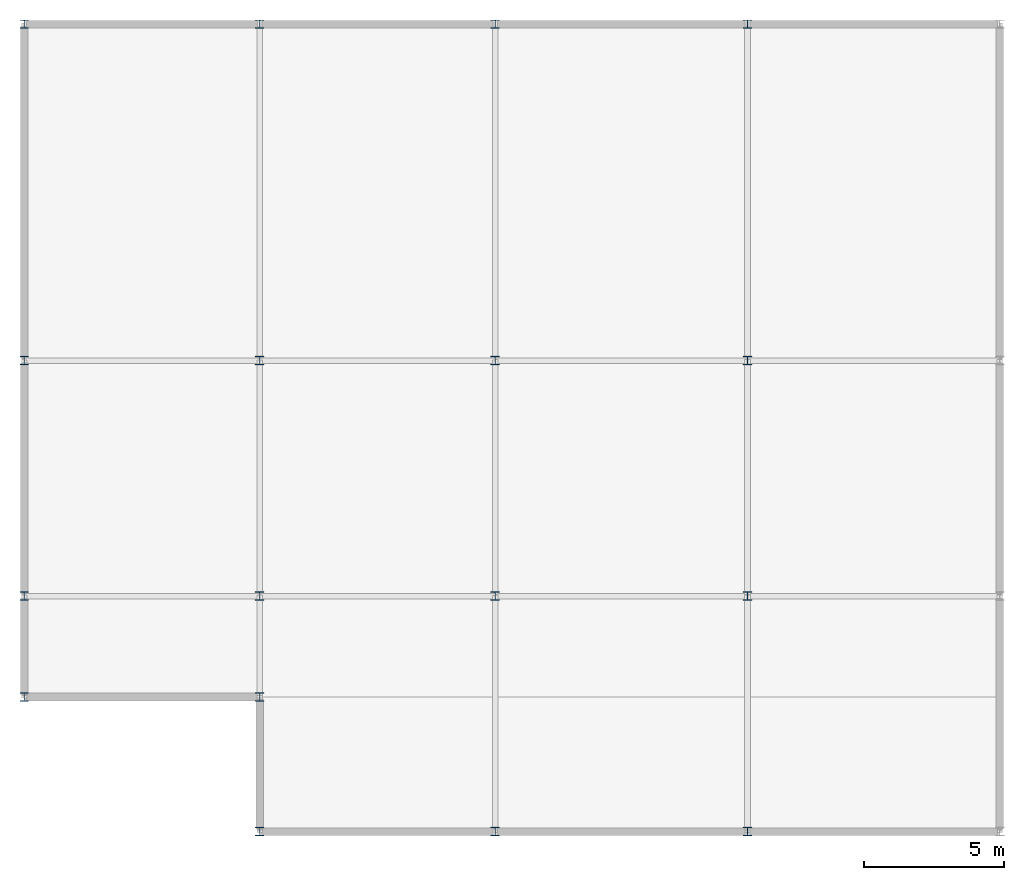
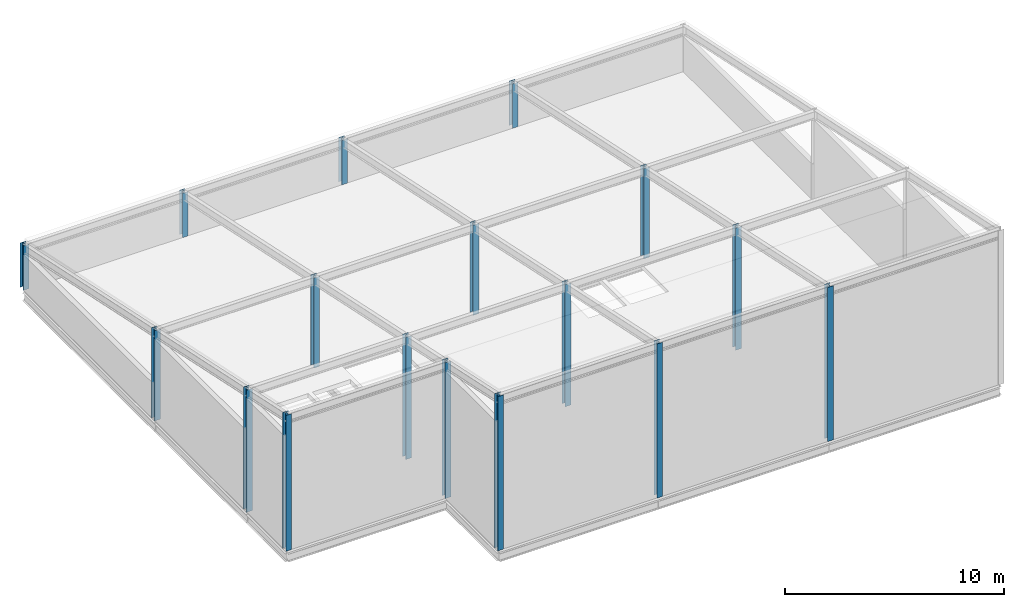
# One storey, part 1 of 5: 17 columns.
"""IFC4 building model written with IfcOpenShell, lengths in metres."""

from ifc_helpers import new_model, si_unit, direction, frame, origin, origin_2d, place, context, subcontext, project, spatial, i_section, extrude, material, material_profile, profile_set, type_object, element, save


model = new_model("IFC4")

# Units and contexts
model_context = context("Model", 3, precision=1e-05, world=origin(), true_north=direction((0.0, 1.0)))
body_context = subcontext(model_context, "Body", "Model", "MODEL_VIEW")
ifc_project = project(units=[si_unit("LENGTHUNIT", "METRE"), si_unit("AREAUNIT", "SQUARE_METRE"), si_unit("VOLUMEUNIT", "CUBIC_METRE"), si_unit("PLANEANGLEUNIT", "RADIAN"), si_unit("MASSUNIT", "GRAM", prefix="KILO")], contexts=[model_context])

# Site, building, storey
site_placement = place(None, origin())
site = spatial("IfcSite", under=ifc_project, at=site_placement, CompositionType="ELEMENT")
building_placement = place(site_placement, origin())
building = spatial("IfcBuilding", under=site, at=building_placement, Name="Yukiwa Park Conservatory and Herbarium", CompositionType="ELEMENT")
storey_placement = place(building_placement, frame((0.0, 0.0, 65.39990234375)))
storey = spatial("IfcBuildingStorey", under=building, at=storey_placement, Name="RF", CompositionType="ELEMENT", Elevation=65.39990234375)

# Columns
ifc_material_1 = material(Name="Steel Q355D", Category="steel")
ifc_material_profile_1 = material_profile(ifc_material_1, i_section(OverallWidth=0.300048828125, OverallDepth=0.300048828125, WebThickness=0.010009765625, FlangeThickness=0.014892578125, FilletRadius=0.01806640625, at=origin_2d()), Name="HW 300x300x10x15")
ifc_profile_set_1 = profile_set([ifc_material_profile_1], Name="Steel Q355D")
column_type_1 = type_object("IfcColumnType", Name="COL-TW-HW300", PredefinedType="COLUMN", material=ifc_profile_set_1)
column_1_placement = place(storey_placement, frame((141.60009765625, 94.800048828125, 0.0), z_axis=(0.0, 0.0, 1.0), x_axis=(1.0, 0.0, 0.0)))
element("IfcColumn", 1, at=column_1_placement, inside=storey, type_object=column_type_1, Name="Tower crown roof post 141-94", PredefinedType="COLUMN", context=body_context, shape_type="SweptSolid", body=[
    extrude(i_section(OverallWidth=0.300048828125, OverallDepth=0.300048828125, WebThickness=0.010009765625, FlangeThickness=0.014892578125, FilletRadius=0.01806640625, at=origin_2d()), origin(), (0.0, 0.0, 1.0), 6.811279296875),
])
column_2_placement = place(storey_placement, frame((141.60009765625, 103.199951171875, 0.0), z_axis=(0.0, 0.0, 1.0), x_axis=(1.0, 0.0, 0.0)))
element("IfcColumn", 2, at=column_2_placement, inside=storey, type_object=column_type_1, Name="Tower crown roof post 141-103", PredefinedType="COLUMN", context=body_context, shape_type="SweptSolid", body=[
    extrude(i_section(OverallWidth=0.300048828125, OverallDepth=0.300048828125, WebThickness=0.010009765625, FlangeThickness=0.014892578125, FilletRadius=0.01806640625, at=origin_2d()), origin(), (0.0, 0.0, 1.0), 5.02587890625),
])
column_3_placement = place(storey_placement, frame((150.0, 94.800048828125, 0.0), z_axis=(0.0, 0.0, 1.0), x_axis=(1.0, 0.0, 0.0)))
element("IfcColumn", 3, at=column_3_placement, inside=storey, type_object=column_type_1, Name="Tower crown roof post 150-94", PredefinedType="COLUMN", context=body_context, shape_type="SweptSolid", body=[
    extrude(i_section(OverallWidth=0.300048828125, OverallDepth=0.300048828125, WebThickness=0.010009765625, FlangeThickness=0.014892578125, FilletRadius=0.01806640625, at=origin_2d()), origin(), (0.0, 0.0, 1.0), 6.811279296875),
])
column_4_placement = place(storey_placement, frame((150.0, 103.199951171875, 0.0), z_axis=(0.0, 0.0, 1.0), x_axis=(1.0, 0.0, 0.0)))
element("IfcColumn", 4, at=column_4_placement, inside=storey, type_object=column_type_1, Name="Tower crown roof post 150-103", PredefinedType="COLUMN", context=body_context, shape_type="SweptSolid", body=[
    extrude(i_section(OverallWidth=0.300048828125, OverallDepth=0.300048828125, WebThickness=0.010009765625, FlangeThickness=0.014892578125, FilletRadius=0.01806640625, at=origin_2d()), origin(), (0.0, 0.0, 1.0), 5.02587890625),
])
column_5_placement = place(storey_placement, frame((159.0, 94.800048828125, 0.0), z_axis=(0.0, 0.0, 1.0), x_axis=(1.0, 0.0, 0.0)))
element("IfcColumn", 5, at=column_5_placement, inside=storey, type_object=column_type_1, Name="Tower crown roof post 159-94", PredefinedType="COLUMN", context=body_context, shape_type="SweptSolid", body=[
    extrude(i_section(OverallWidth=0.300048828125, OverallDepth=0.300048828125, WebThickness=0.010009765625, FlangeThickness=0.014892578125, FilletRadius=0.01806640625, at=origin_2d()), origin(), (0.0, 0.0, 1.0), 6.811279296875),
])
column_6_placement = place(storey_placement, frame((159.0, 103.199951171875, 0.0), z_axis=(0.0, 0.0, 1.0), x_axis=(1.0, 0.0, 0.0)))
element("IfcColumn", 6, at=column_6_placement, inside=storey, type_object=column_type_1, Name="Tower crown roof post 159-103", PredefinedType="COLUMN", context=body_context, shape_type="SweptSolid", body=[
    extrude(i_section(OverallWidth=0.300048828125, OverallDepth=0.300048828125, WebThickness=0.010009765625, FlangeThickness=0.014892578125, FilletRadius=0.01806640625, at=origin_2d()), origin(), (0.0, 0.0, 1.0), 5.02587890625),
])
ifc_material_2 = material(Name="Steel Q355D", Category="steel")
ifc_material_profile_2 = material_profile(ifc_material_2, i_section(OverallWidth=0.300048828125, OverallDepth=0.300048828125, WebThickness=0.010009765625, FlangeThickness=0.014892578125, FilletRadius=0.01806640625, at=origin_2d()), Name="HW 300x300x10x15")
ifc_profile_set_2 = profile_set([ifc_material_profile_2], Name="Steel Q355D")
column_type_2 = type_object("IfcColumnType", Name="COL-TW-HW300-EXT", PredefinedType="COLUMN", material=ifc_profile_set_2)
column_7_placement = place(storey_placement, frame((133.199951171875, 91.199951171875, 0.0), z_axis=(0.0, 0.0, 1.0), x_axis=(1.0, 0.0, 0.0)))
element("IfcColumn", 7, at=column_7_placement, inside=storey, type_object=column_type_2, Name="Tower crown roof post 133-91", PredefinedType="COLUMN", context=body_context, shape_type="SweptSolid", body=[
    extrude(i_section(OverallWidth=0.300048828125, OverallDepth=0.300048828125, WebThickness=0.010009765625, FlangeThickness=0.014892578125, FilletRadius=0.01806640625, at=origin_2d()), origin(), (0.0, 0.0, 1.0), 7.576416015625),
])
column_8_placement = place(storey_placement, frame((133.199951171875, 94.800048828125, 0.0), z_axis=(0.0, 0.0, 1.0), x_axis=(1.0, 0.0, 0.0)))
element("IfcColumn", 8, at=column_8_placement, inside=storey, type_object=column_type_2, Name="Tower crown roof post 133-94", PredefinedType="COLUMN", context=body_context, shape_type="SweptSolid", body=[
    extrude(i_section(OverallWidth=0.300048828125, OverallDepth=0.300048828125, WebThickness=0.010009765625, FlangeThickness=0.014892578125, FilletRadius=0.01806640625, at=origin_2d()), origin(), (0.0, 0.0, 1.0), 6.811279296875),
])
column_9_placement = place(storey_placement, frame((133.199951171875, 103.199951171875, 0.0), z_axis=(0.0, 0.0, 1.0), x_axis=(1.0, 0.0, 0.0)))
element("IfcColumn", 9, at=column_9_placement, inside=storey, type_object=column_type_2, Name="Tower crown roof post 133-103", PredefinedType="COLUMN", context=body_context, shape_type="SweptSolid", body=[
    extrude(i_section(OverallWidth=0.300048828125, OverallDepth=0.300048828125, WebThickness=0.010009765625, FlangeThickness=0.014892578125, FilletRadius=0.01806640625, at=origin_2d()), origin(), (0.0, 0.0, 1.0), 5.02587890625),
])
column_10_placement = place(storey_placement, frame((133.199951171875, 115.199951171875, 0.0), z_axis=(0.0, 0.0, 1.0), x_axis=(1.0, 0.0, 0.0)))
element("IfcColumn", 10, at=column_10_placement, inside=storey, type_object=column_type_2, Name="Tower crown roof post 133-115", PredefinedType="COLUMN", context=body_context, shape_type="SweptSolid", body=[
    extrude(i_section(OverallWidth=0.300048828125, OverallDepth=0.300048828125, WebThickness=0.010009765625, FlangeThickness=0.014892578125, FilletRadius=0.01806640625, at=origin_2d()), origin(), (0.0, 0.0, 1.0), 2.47509765625),
])
column_11_placement = place(storey_placement, frame((141.60009765625, 86.39990234375, 0.0), z_axis=(0.0, 0.0, 1.0), x_axis=(1.0, 0.0, 0.0)))
element("IfcColumn", 11, at=column_11_placement, inside=storey, type_object=column_type_2, Name="Tower crown roof post 141-86", PredefinedType="COLUMN", context=body_context, shape_type="SweptSolid", body=[
    extrude(i_section(OverallWidth=0.300048828125, OverallDepth=0.300048828125, WebThickness=0.010009765625, FlangeThickness=0.014892578125, FilletRadius=0.01806640625, at=origin_2d()), origin(), (0.0, 0.0, 1.0), 8.5966796875),
])
column_12_placement = place(storey_placement, frame((141.60009765625, 91.199951171875, 0.0), z_axis=(0.0, 0.0, 1.0), x_axis=(1.0, 0.0, 0.0)))
element("IfcColumn", 12, at=column_12_placement, inside=storey, type_object=column_type_2, Name="Tower crown roof post 141-91", PredefinedType="COLUMN", context=body_context, shape_type="SweptSolid", body=[
    extrude(i_section(OverallWidth=0.300048828125, OverallDepth=0.300048828125, WebThickness=0.010009765625, FlangeThickness=0.014892578125, FilletRadius=0.01806640625, at=origin_2d()), origin(), (0.0, 0.0, 1.0), 7.576416015625),
])
column_13_placement = place(storey_placement, frame((141.60009765625, 115.199951171875, 0.0), z_axis=(0.0, 0.0, 1.0), x_axis=(1.0, 0.0, 0.0)))
element("IfcColumn", 13, at=column_13_placement, inside=storey, type_object=column_type_2, Name="Tower crown roof post 141-115", PredefinedType="COLUMN", context=body_context, shape_type="SweptSolid", body=[
    extrude(i_section(OverallWidth=0.300048828125, OverallDepth=0.300048828125, WebThickness=0.010009765625, FlangeThickness=0.014892578125, FilletRadius=0.01806640625, at=origin_2d()), origin(), (0.0, 0.0, 1.0), 2.47509765625),
])
column_14_placement = place(storey_placement, frame((150.0, 86.39990234375, 0.0), z_axis=(0.0, 0.0, 1.0), x_axis=(1.0, 0.0, 0.0)))
element("IfcColumn", 14, at=column_14_placement, inside=storey, type_object=column_type_2, Name="Tower crown roof post 150-86", PredefinedType="COLUMN", context=body_context, shape_type="SweptSolid", body=[
    extrude(i_section(OverallWidth=0.300048828125, OverallDepth=0.300048828125, WebThickness=0.010009765625, FlangeThickness=0.014892578125, FilletRadius=0.01806640625, at=origin_2d()), origin(), (0.0, 0.0, 1.0), 8.5966796875),
])
column_15_placement = place(storey_placement, frame((150.0, 115.199951171875, 0.0), z_axis=(0.0, 0.0, 1.0), x_axis=(1.0, 0.0, 0.0)))
element("IfcColumn", 15, at=column_15_placement, inside=storey, type_object=column_type_2, Name="Tower crown roof post 150-115", PredefinedType="COLUMN", context=body_context, shape_type="SweptSolid", body=[
    extrude(i_section(OverallWidth=0.300048828125, OverallDepth=0.300048828125, WebThickness=0.010009765625, FlangeThickness=0.014892578125, FilletRadius=0.01806640625, at=origin_2d()), origin(), (0.0, 0.0, 1.0), 2.47509765625),
])
column_16_placement = place(storey_placement, frame((159.0, 86.39990234375, 0.0), z_axis=(0.0, 0.0, 1.0), x_axis=(1.0, 0.0, 0.0)))
element("IfcColumn", 16, at=column_16_placement, inside=storey, type_object=column_type_2, Name="Tower crown roof post 159-86", PredefinedType="COLUMN", context=body_context, shape_type="SweptSolid", body=[
    extrude(i_section(OverallWidth=0.300048828125, OverallDepth=0.300048828125, WebThickness=0.010009765625, FlangeThickness=0.014892578125, FilletRadius=0.01806640625, at=origin_2d()), origin(), (0.0, 0.0, 1.0), 8.5966796875),
])
column_17_placement = place(storey_placement, frame((159.0, 115.199951171875, 0.0), z_axis=(0.0, 0.0, 1.0), x_axis=(1.0, 0.0, 0.0)))
element("IfcColumn", 17, at=column_17_placement, inside=storey, type_object=column_type_2, Name="Tower crown roof post 159-115", PredefinedType="COLUMN", context=body_context, shape_type="SweptSolid", body=[
    extrude(i_section(OverallWidth=0.300048828125, OverallDepth=0.300048828125, WebThickness=0.010009765625, FlangeThickness=0.014892578125, FilletRadius=0.01806640625, at=origin_2d()), origin(), (0.0, 0.0, 1.0), 2.47509765625),
])

save(model, "model.ifc")
